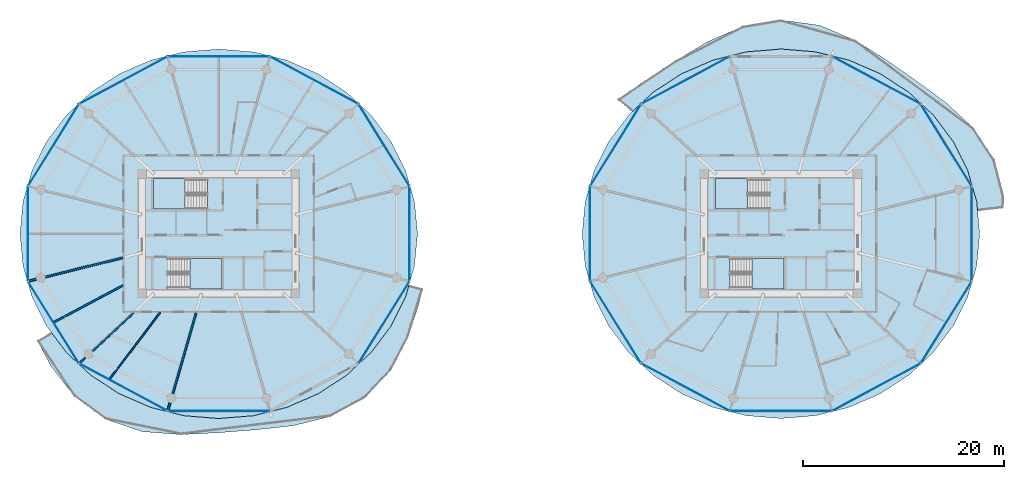
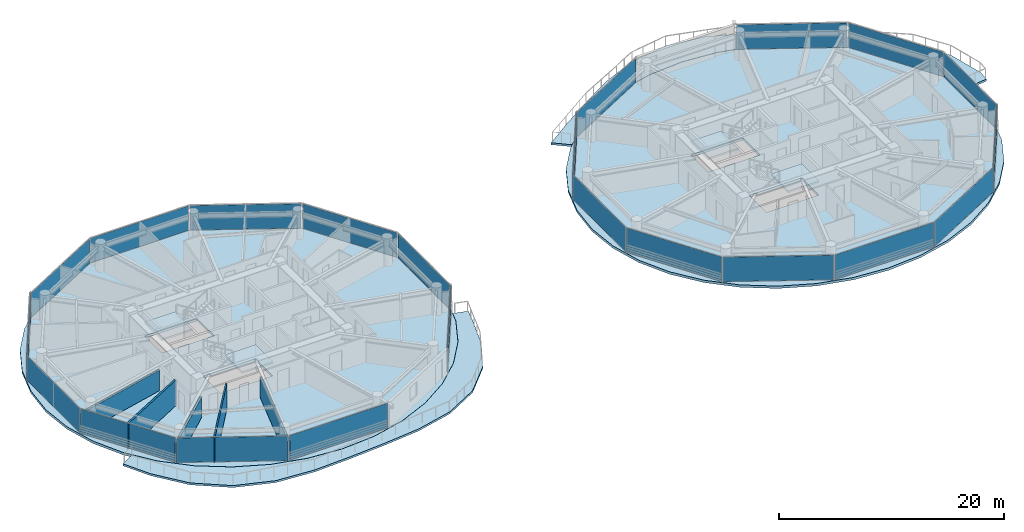
# One storey, part 14 of 26: 22 plates, 8 slabs, 5 walls, 26 elements without a shape of their own.
"""IFC4 building model written with IfcOpenShell, lengths in metres."""

from ifc_helpers import new_model, si_unit, direction, frame, frame_2d, origin, origin_2d, place, context, subcontext, project, spatial, polyline, rectangle, outline, extrude, source, transform, mapped, material, layer, layer_set, type_object, type_shapes, element, aggregate, save


model = new_model("IFC4")

# Units and contexts
model_context = context("Model", 3, precision=1e-05, world=origin(), true_north=direction((0.0, 1.0)))
body_context = subcontext(model_context, "Body", "Model", "MODEL_VIEW")
ifc_project = project(units=[si_unit("LENGTHUNIT", "METRE"), si_unit("AREAUNIT", "SQUARE_METRE"), si_unit("VOLUMEUNIT", "CUBIC_METRE"), si_unit("PLANEANGLEUNIT", "RADIAN"), si_unit("MASSUNIT", "GRAM", prefix="KILO")], contexts=[model_context])

# Site, building, storey
site_placement = place(None, origin())
site = spatial("IfcSite", under=ifc_project, at=site_placement, CompositionType="ELEMENT")
building_placement = place(site_placement, origin())
building = spatial("IfcBuilding", under=site, at=building_placement, Name="Norrkilde Senior Care Towers", CompositionType="ELEMENT")
storey_placement = place(building_placement, frame((0.0, 0.0, 55.14990234375)))
storey = spatial("IfcBuildingStorey", under=building, at=storey_placement, Name="L16", CompositionType="ELEMENT", Elevation=55.14990234375)

# Slabs
ifc_material_1 = material(Name="Concrete C50/60", Category="concrete")
ifc_layer_1 = layer(ifc_material_1, 0.215087890625)
ifc_layer_set_1 = layer_set([ifc_layer_1], Name="Concrete C50/60")
slab_type_1 = type_object("IfcSlabType", Name="Sinusoidal Balcony Ribbon Slab 215", PredefinedType="FLOOR", material=ifc_layer_set_1)
slab_1_placement = place(storey_placement, frame((0.0, 0.0, -0.21484375)))
element("IfcSlab", 1, at=slab_1_placement, inside=storey, type_object=slab_type_1, Name="L16 Drum W Swirling Senior Balcony 1", PredefinedType="FLOOR", context=body_context, shape_type="SweptSolid", body=[
    extrude(outline(polyline([(-9.116455078125, -10.278564453125), (-10.85546875, -13.6123046875), (-13.49072265625, -16.380615234375), (-16.8798828125, -18.208740234375), (-20.607177734375, -19.125732421875), (-24.330810546875, -19.530029296875), (-28.0, -19.81689453125), (-31.747314453125, -20.006591796875), (-35.591796875, -19.7138671875), (-39.26904296875, -18.486572265625), (-42.376708984375, -16.210693359375), (-44.704833984375, -13.215087890625), (-46.0576171875, -10.67138671875), (-44.6650390625, -9.848388671875), (-43.171630859375, -11.83056640625), (-40.73046875, -14.09912109375), (-37.902587890625, -15.939208984375), (-34.773681640625, -17.294921875), (-31.439208984375, -18.12548828125), (-28.0, -18.405029296875), (-24.560791015625, -18.12548828125), (-21.226318359375, -17.294921875), (-18.097412109375, -15.939208984375), (-15.26953125, -14.09912109375), (-12.828369140625, -11.83056640625), (-10.848388671875, -9.202392578125), (-9.389404296875, -6.294921875), (-9.0556640625, -5.137451171875), (-7.674072265625, -5.511962890625), (-8.013671875, -6.833740234375), (-9.116455078125, -10.278564453125)])), origin(), (0.0, 0.0, 1.0), 0.21484375),
])
slab_2_placement = place(storey_placement, frame((0.0, 0.0, -0.21484375)))
element("IfcSlab", 2, at=slab_2_placement, inside=storey, type_object=slab_type_1, Name="L16 Drum E Swirling Senior Balcony 1", PredefinedType="FLOOR", context=body_context, shape_type="SweptSolid", body=[
    extrude(outline(polyline([(17.43017578125, 17.18359375), (20.615478515625, 19.10107421875), (24.14794921875, 20.645263671875), (28.0, 21.295654296875), (31.8720703125, 20.767578125), (35.435546875, 19.252197265625), (38.608154296875, 17.2548828125), (41.571533203125, 15.177978515625), (44.49267578125, 13.023681640625), (47.219970703125, 10.48779296875), (49.2783203125, 7.33984375), (50.21826171875, 3.7109375), (50.153076171875, 2.572509765625), (47.5908203125, 2.27490234375), (47.504150390625, 3.196044921875), (46.610595703125, 6.294921875), (45.151611328125, 9.202392578125), (43.171630859375, 11.83056640625), (40.73046875, 14.09912109375), (37.902587890625, 15.939208984375), (34.773681640625, 17.294921875), (31.439208984375, 18.12548828125), (28.0, 18.405029296875), (24.560791015625, 18.12548828125), (21.226318359375, 17.294921875), (18.097412109375, 15.939208984375), (15.26953125, 14.09912109375), (13.195068359375, 12.17138671875), (11.740234375, 13.367431640625), (14.39453125, 15.2216796875), (17.43017578125, 17.18359375)])), origin(), (0.0, 0.0, 1.0), 0.21484375),
])

# Stair, slab
ifc_material_2 = material(Name="Concrete C45/55", Category="concrete")
stair_type = type_object("IfcStairType", Name="Core Protected Dogleg Stair Typical 3050", PredefinedType="HALF_TURN_STAIR", material=ifc_material_2)
stair_1_placement = place(storey_placement, origin())
stair_1 = element("IfcStair", 3, at=stair_1_placement, inside=storey, type_object=stair_type, Name="L16 Protected Core Stair W1", PredefinedType="HALF_TURN_STAIR")
ifc_layer_2 = layer(ifc_material_2, 0.199951171875)
ifc_layer_set_2 = layer_set([ifc_layer_2], Name="Concrete C45/55")
slab_type_2 = type_object("IfcSlabType", Name="Stair Landing Slab 200", PredefinedType="LANDING", material=ifc_layer_set_2)
slab_3_placement = place(storey_placement, frame((0.0, 0.0, 1.3251953125)))
slab_3 = element("IfcSlab", 4, at=slab_3_placement, type_object=slab_type_2, Name="ST-W1 landing 1", PredefinedType="LANDING", context=body_context, shape_type="SweptSolid", body=[
    extrude(outline(polyline([(-31.340087890625, 5.52490234375), (-34.5, 5.52490234375), (-34.5, 2.449951171875), (-31.340087890625, 2.449951171875), (-31.340087890625, 5.52490234375)])), origin(), (0.0, 0.0, 1.0), 0.199951171875),
])
aggregate(stair_1, [slab_3])

stair_2_placement = place(storey_placement, origin())
stair_2 = element("IfcStair", 5, at=stair_2_placement, inside=storey, type_object=stair_type, Name="L16 Protected Core Stair W2", PredefinedType="HALF_TURN_STAIR")
slab_4_placement = place(storey_placement, frame((0.0, 0.0, 1.3251953125)))
slab_4 = element("IfcSlab", 6, at=slab_4_placement, type_object=slab_type_2, Name="ST-W2 landing 1", PredefinedType="LANDING", context=body_context, shape_type="SweptSolid", body=[
    extrude(outline(polyline([(-30.860107421875, -5.52490234375), (-27.699951171875, -5.52490234375), (-27.699951171875, -2.449951171875), (-30.860107421875, -2.449951171875), (-30.860107421875, -5.52490234375)])), origin(), (0.0, 0.0, 1.0), 0.199951171875),
])
aggregate(stair_2, [slab_4])

stair_3_placement = place(storey_placement, origin())
stair_3 = element("IfcStair", 7, at=stair_3_placement, inside=storey, type_object=stair_type, Name="L16 Protected Core Stair E1", PredefinedType="HALF_TURN_STAIR")
slab_5_placement = place(storey_placement, frame((0.0, 0.0, 1.3251953125)))
slab_5 = element("IfcSlab", 8, at=slab_5_placement, type_object=slab_type_2, Name="ST-E1 landing 1", PredefinedType="LANDING", context=body_context, shape_type="SweptSolid", body=[
    extrude(outline(polyline([(24.659912109375, 5.52490234375), (21.5, 5.52490234375), (21.5, 2.449951171875), (24.659912109375, 2.449951171875), (24.659912109375, 5.52490234375)])), origin(), (0.0, 0.0, 1.0), 0.199951171875),
])
aggregate(stair_3, [slab_5])

stair_4_placement = place(storey_placement, origin())
stair_4 = element("IfcStair", 9, at=stair_4_placement, inside=storey, type_object=stair_type, Name="L16 Protected Core Stair E2", PredefinedType="HALF_TURN_STAIR")
slab_6_placement = place(storey_placement, frame((0.0, 0.0, 1.3251953125)))
slab_6 = element("IfcSlab", 10, at=slab_6_placement, type_object=slab_type_2, Name="ST-E2 landing 1", PredefinedType="LANDING", context=body_context, shape_type="SweptSolid", body=[
    extrude(outline(polyline([(25.139892578125, -5.52490234375), (28.300048828125, -5.52490234375), (28.300048828125, -2.449951171875), (25.139892578125, -2.449951171875), (25.139892578125, -5.52490234375)])), origin(), (0.0, 0.0, 1.0), 0.199951171875),
])
aggregate(stair_4, [slab_6])

# Slabs
ifc_layer_3 = layer(ifc_material_1, 0.260009765625)
ifc_layer_set_3 = layer_set([ifc_layer_3], Name="Concrete C50/60")
slab_type_3 = type_object("IfcSlabType", Name="Tower Care Floor Slab 260", PredefinedType="FLOOR", material=ifc_layer_set_3)
slab_7_placement = place(storey_placement, frame((0.0, 0.0, -0.260009765625)))
element("IfcSlab", 11, at=slab_7_placement, inside=storey, type_object=slab_type_3, Name="L16 Drum W Structural Floor Slab", PredefinedType="FLOOR", context=body_context, shape_type="SweptSolid", body=[
    extrude(outline(polyline([(-9.39404296875, -6.293212890625), (-10.852783203125, -9.199951171875), (-12.832275390625, -11.827392578125), (-15.272705078125, -14.09521484375), (-18.10009765625, -15.934814453125), (-21.22802734375, -17.290283203125), (-24.561767578125, -18.120361328125), (-28.0, -18.39990234375), (-31.438232421875, -18.120361328125), (-34.77197265625, -17.290283203125), (-37.89990234375, -15.934814453125), (-40.727294921875, -14.09521484375), (-43.167724609375, -11.827392578125), (-45.147216796875, -9.199951171875), (-46.60595703125, -6.293212890625), (-47.499267578125, -3.195068359375), (-47.800048828125, 0.0), (-47.499267578125, 3.195068359375), (-46.60595703125, 6.293212890625), (-45.147216796875, 9.199951171875), (-43.167724609375, 11.827392578125), (-40.727294921875, 14.09521484375), (-37.89990234375, 15.934814453125), (-34.77197265625, 17.290283203125), (-31.438232421875, 18.120361328125), (-28.0, 18.39990234375), (-24.561767578125, 18.120361328125), (-21.22802734375, 17.290283203125), (-18.10009765625, 15.934814453125), (-15.272705078125, 14.09521484375), (-12.832275390625, 11.827392578125), (-10.852783203125, 9.199951171875), (-9.39404296875, 6.293212890625), (-8.500732421875, 3.195068359375), (-8.199951171875, 0.0), (-8.500732421875, -3.195068359375), (-9.39404296875, -6.293212890625)]), holes=[polyline([(-34.48193359375, 2.468017578125), (-29.117919921875, 2.468017578125), (-29.117919921875, 5.52490234375), (-34.48193359375, 5.52490234375), (-34.48193359375, 2.468017578125)]), polyline([(-27.718017578125, -5.52490234375), (-27.718017578125, -2.468017578125), (-33.08203125, -2.468017578125), (-33.08203125, -5.52490234375), (-27.718017578125, -5.52490234375)])]), origin(), (0.0, 0.0, 1.0), 0.260009765625),
])
slab_8_placement = place(storey_placement, frame((0.0, 0.0, -0.260009765625)))
element("IfcSlab", 12, at=slab_8_placement, inside=storey, type_object=slab_type_3, Name="L16 Drum E Structural Floor Slab", PredefinedType="FLOOR", context=body_context, shape_type="SweptSolid", body=[
    extrude(outline(polyline([(46.60595703125, -6.293212890625), (45.147216796875, -9.199951171875), (43.167724609375, -11.827392578125), (40.727294921875, -14.09521484375), (37.89990234375, -15.934814453125), (34.77197265625, -17.290283203125), (31.438232421875, -18.120361328125), (28.0, -18.39990234375), (24.561767578125, -18.120361328125), (21.22802734375, -17.290283203125), (18.10009765625, -15.934814453125), (15.272705078125, -14.09521484375), (12.832275390625, -11.827392578125), (10.852783203125, -9.199951171875), (9.39404296875, -6.293212890625), (8.500732421875, -3.195068359375), (8.199951171875, 0.0), (8.500732421875, 3.195068359375), (9.39404296875, 6.293212890625), (10.852783203125, 9.199951171875), (12.832275390625, 11.827392578125), (15.272705078125, 14.09521484375), (18.10009765625, 15.934814453125), (21.22802734375, 17.290283203125), (24.561767578125, 18.120361328125), (28.0, 18.39990234375), (31.438232421875, 18.120361328125), (34.77197265625, 17.290283203125), (37.89990234375, 15.934814453125), (40.727294921875, 14.09521484375), (43.167724609375, 11.827392578125), (45.147216796875, 9.199951171875), (46.60595703125, 6.293212890625), (47.499267578125, 3.195068359375), (47.800048828125, 0.0), (47.499267578125, -3.195068359375), (46.60595703125, -6.293212890625)]), holes=[polyline([(21.51806640625, 2.468017578125), (26.882080078125, 2.468017578125), (26.882080078125, 5.52490234375), (21.51806640625, 5.52490234375), (21.51806640625, 2.468017578125)]), polyline([(28.281982421875, -5.52490234375), (28.281982421875, -2.468017578125), (22.91796875, -2.468017578125), (22.91796875, -5.52490234375), (28.281982421875, -5.52490234375)])]), origin(), (0.0, 0.0, 1.0), 0.260009765625),
])

# Curtain wall, plate
ifc_material_3 = material(Name="Triple Low-E Insulated Glazing", Category="glass")
ifc_layer_4 = layer(ifc_material_3, 0.199951171875)
ifc_layer_set_4 = layer_set([ifc_layer_4], Name="Triple Low-E Insulated Glazing")
curtain_wall_type = type_object("IfcCurtainWallType", Name="CW2 Zone 1 Memory Care Curtain Wall", PredefinedType="NOTDEFINED", material=ifc_layer_set_4)
curtain_wall_1_placement = place(storey_placement, origin())
curtain_wall_1 = element("IfcCurtainWall", 13, at=curtain_wall_1_placement, inside=storey, type_object=curtain_wall_type, Name="L16 Drum W Curtain Wall 00", PredefinedType="NOTDEFINED")
ifc_layer_5 = layer(ifc_material_3, 0.035888671875)
ifc_layer_set_5 = layer_set([ifc_layer_5], Name="Triple Low-E Insulated Glazing")
plate_type = type_object("IfcPlateType", Name="Triple Low-E Vision Curtain Panel 36", PredefinedType="CURTAIN_PANEL", material=ifc_layer_set_5)
shared_shape_1 = source(origin(), body_context, "Body", "SweptSolid", [
    extrude(rectangle(XDim=9.518798828125, YDim=0.035888671875, at=origin_2d()), origin(), (0.0, 0.0, 1.0), 2.669921875),
])
plate_1_placement = place(storey_placement, frame((-11.537353515625, 8.82861328125, 0.06005859375), z_axis=(0.0, 0.0, 1.0), x_axis=(0.527900951871, -0.849305943117, 0.0)))
plate_1 = element("IfcPlate", 14, at=plate_1_placement, type_object=plate_type, Name="CW-2 panel 1.1", PredefinedType="CURTAIN_PANEL", context=body_context, shape_type="MappedRepresentation", body=[
    mapped(shared_shape_1, transform((0.0, 0.0, 0.0), x_axis=(1.0, 0.0, 0.0), y_axis=(0.0, 1.0, 0.0), z_axis=(0.0, 0.0, 1.0), scale=1.0)),
])
aggregate(curtain_wall_1, [plate_1])

curtain_wall_2_placement = place(storey_placement, origin())
curtain_wall_2 = element("IfcCurtainWall", 15, at=curtain_wall_2_placement, inside=storey, type_object=curtain_wall_type, Name="L16 Drum W Curtain Wall 04", PredefinedType="NOTDEFINED")
plate_2_placement = place(storey_placement, frame((-44.462646484375, 8.82861328125, 0.06005859375), z_axis=(0.0, 0.0, 1.0), x_axis=(0.527900951871, 0.849305943117, 0.0)))
plate_2 = element("IfcPlate", 16, at=plate_2_placement, type_object=plate_type, Name="CW-2 panel 1.1", PredefinedType="CURTAIN_PANEL", context=body_context, shape_type="MappedRepresentation", body=[
    mapped(shared_shape_1, transform((0.0, 0.0, 0.0), x_axis=(1.0, 0.0, 0.0), y_axis=(0.0, 1.0, 0.0), z_axis=(0.0, 0.0, 1.0), scale=1.0)),
])
aggregate(curtain_wall_2, [plate_2])

curtain_wall_3_placement = place(storey_placement, origin())
curtain_wall_3 = element("IfcCurtainWall", 17, at=curtain_wall_3_placement, inside=storey, type_object=curtain_wall_type, Name="L16 Drum W Curtain Wall 06", PredefinedType="NOTDEFINED")
plate_3_placement = place(storey_placement, frame((-44.462646484375, -8.82861328125, 0.06005859375), z_axis=(0.0, 0.0, 1.0), x_axis=(-0.527900951871, 0.849305943117, 0.0)))
plate_3 = element("IfcPlate", 18, at=plate_3_placement, type_object=plate_type, Name="CW-2 panel 1.1", PredefinedType="CURTAIN_PANEL", context=body_context, shape_type="MappedRepresentation", body=[
    mapped(shared_shape_1, transform((0.0, 0.0, 0.0), x_axis=(1.0, 0.0, 0.0), y_axis=(0.0, 1.0, 0.0), z_axis=(0.0, 0.0, 1.0), scale=1.0)),
])
aggregate(curtain_wall_3, [plate_3])

curtain_wall_4_placement = place(storey_placement, origin())
curtain_wall_4 = element("IfcCurtainWall", 19, at=curtain_wall_4_placement, inside=storey, type_object=curtain_wall_type, Name="L16 Drum W Curtain Wall 10", PredefinedType="NOTDEFINED")
plate_4_placement = place(storey_placement, frame((-11.537353515625, -8.82861328125, 0.06005859375), z_axis=(0.0, 0.0, 1.0), x_axis=(-0.527900951871, -0.849305943117, 0.0)))
plate_4 = element("IfcPlate", 20, at=plate_4_placement, type_object=plate_type, Name="CW-2 panel 1.1", PredefinedType="CURTAIN_PANEL", context=body_context, shape_type="MappedRepresentation", body=[
    mapped(shared_shape_1, transform((0.0, 0.0, 0.0), x_axis=(1.0, 0.0, 0.0), y_axis=(0.0, 1.0, 0.0), z_axis=(0.0, 0.0, 1.0), scale=1.0)),
])
aggregate(curtain_wall_4, [plate_4])

curtain_wall_5_placement = place(storey_placement, origin())
curtain_wall_5 = element("IfcCurtainWall", 21, at=curtain_wall_5_placement, inside=storey, type_object=curtain_wall_type, Name="L16 Drum E Curtain Wall 00", PredefinedType="NOTDEFINED")
plate_5_placement = place(storey_placement, frame((44.462646484375, 8.82861328125, 0.06005859375), z_axis=(0.0, 0.0, 1.0), x_axis=(0.527900951871, -0.849305943117, 0.0)))
plate_5 = element("IfcPlate", 22, at=plate_5_placement, type_object=plate_type, Name="CW-2 panel 1.1", PredefinedType="CURTAIN_PANEL", context=body_context, shape_type="MappedRepresentation", body=[
    mapped(shared_shape_1, transform((0.0, 0.0, 0.0), x_axis=(1.0, 0.0, 0.0), y_axis=(0.0, 1.0, 0.0), z_axis=(0.0, 0.0, 1.0), scale=1.0)),
])
aggregate(curtain_wall_5, [plate_5])

curtain_wall_6_placement = place(storey_placement, origin())
curtain_wall_6 = element("IfcCurtainWall", 23, at=curtain_wall_6_placement, inside=storey, type_object=curtain_wall_type, Name="L16 Drum E Curtain Wall 04", PredefinedType="NOTDEFINED")
plate_6_placement = place(storey_placement, frame((11.537353515625, 8.82861328125, 0.06005859375), z_axis=(0.0, 0.0, 1.0), x_axis=(0.527900951871, 0.849305943117, 0.0)))
plate_6 = element("IfcPlate", 24, at=plate_6_placement, type_object=plate_type, Name="CW-2 panel 1.1", PredefinedType="CURTAIN_PANEL", context=body_context, shape_type="MappedRepresentation", body=[
    mapped(shared_shape_1, transform((0.0, 0.0, 0.0), x_axis=(1.0, 0.0, 0.0), y_axis=(0.0, 1.0, 0.0), z_axis=(0.0, 0.0, 1.0), scale=1.0)),
])
aggregate(curtain_wall_6, [plate_6])

curtain_wall_7_placement = place(storey_placement, origin())
curtain_wall_7 = element("IfcCurtainWall", 25, at=curtain_wall_7_placement, inside=storey, type_object=curtain_wall_type, Name="L16 Drum E Curtain Wall 06", PredefinedType="NOTDEFINED")
plate_7_placement = place(storey_placement, frame((11.537353515625, -8.82861328125, 0.06005859375), z_axis=(0.0, 0.0, 1.0), x_axis=(-0.527900951871, 0.849305943117, 0.0)))
plate_7 = element("IfcPlate", 26, at=plate_7_placement, type_object=plate_type, Name="CW-2 panel 1.1", PredefinedType="CURTAIN_PANEL", context=body_context, shape_type="MappedRepresentation", body=[
    mapped(shared_shape_1, transform((0.0, 0.0, 0.0), x_axis=(1.0, 0.0, 0.0), y_axis=(0.0, 1.0, 0.0), z_axis=(0.0, 0.0, 1.0), scale=1.0)),
])
aggregate(curtain_wall_7, [plate_7])

curtain_wall_8_placement = place(storey_placement, origin())
curtain_wall_8 = element("IfcCurtainWall", 27, at=curtain_wall_8_placement, inside=storey, type_object=curtain_wall_type, Name="L16 Drum E Curtain Wall 10", PredefinedType="NOTDEFINED")
plate_8_placement = place(storey_placement, frame((44.462646484375, -8.82861328125, 0.06005859375), z_axis=(0.0, 0.0, 1.0), x_axis=(-0.527900951871, -0.849305943117, 0.0)))
plate_8 = element("IfcPlate", 28, at=plate_8_placement, type_object=plate_type, Name="CW-2 panel 1.1", PredefinedType="CURTAIN_PANEL", context=body_context, shape_type="MappedRepresentation", body=[
    mapped(shared_shape_1, transform((0.0, 0.0, 0.0), x_axis=(1.0, 0.0, 0.0), y_axis=(0.0, 1.0, 0.0), z_axis=(0.0, 0.0, 1.0), scale=1.0)),
])
aggregate(curtain_wall_8, [plate_8])

curtain_wall_9_placement = place(storey_placement, origin())
curtain_wall_9 = element("IfcCurtainWall", 29, at=curtain_wall_9_placement, inside=storey, type_object=curtain_wall_type, Name="L16 Drum W Curtain Wall 01", PredefinedType="NOTDEFINED")
shared_shape_2 = source(origin(), body_context, "Body", "SweptSolid", [
    extrude(rectangle(XDim=9.880859375, YDim=0.035888671875, at=origin_2d()), origin(), (0.0, 0.0, 1.0), 2.669921875),
])
plate_9_placement = place(storey_placement, frame((-18.495361328125, 15.29150390625, 0.06005859375), z_axis=(0.0, 0.0, 1.0), x_axis=(0.881272866403, -0.472607802456, 0.0)))
plate_9 = element("IfcPlate", 30, at=plate_9_placement, type_object=plate_type, Name="CW-2 panel 1.1", PredefinedType="CURTAIN_PANEL", context=body_context, shape_type="MappedRepresentation", body=[
    mapped(shared_shape_2, transform((0.0, 0.0, 0.0), x_axis=(1.0, 0.0, 0.0), y_axis=(0.0, 1.0, 0.0), z_axis=(0.0, 0.0, 1.0), scale=1.0)),
])
aggregate(curtain_wall_9, [plate_9])

curtain_wall_10_placement = place(storey_placement, origin())
curtain_wall_10 = element("IfcCurtainWall", 31, at=curtain_wall_10_placement, inside=storey, type_object=curtain_wall_type, Name="L16 Drum W Curtain Wall 03", PredefinedType="NOTDEFINED")
plate_10_placement = place(storey_placement, frame((-37.504638671875, 15.29150390625, 0.06005859375), z_axis=(0.0, 0.0, 1.0), x_axis=(0.881272866403, 0.472607802456, 0.0)))
plate_10 = element("IfcPlate", 32, at=plate_10_placement, type_object=plate_type, Name="CW-2 panel 1.1", PredefinedType="CURTAIN_PANEL", context=body_context, shape_type="MappedRepresentation", body=[
    mapped(shared_shape_2, transform((0.0, 0.0, 0.0), x_axis=(1.0, 0.0, 0.0), y_axis=(0.0, 1.0, 0.0), z_axis=(0.0, 0.0, 1.0), scale=1.0)),
])
aggregate(curtain_wall_10, [plate_10])

curtain_wall_11_placement = place(storey_placement, origin())
curtain_wall_11 = element("IfcCurtainWall", 33, at=curtain_wall_11_placement, inside=storey, type_object=curtain_wall_type, Name="L16 Drum W Curtain Wall 07", PredefinedType="NOTDEFINED")
plate_11_placement = place(storey_placement, frame((-37.504638671875, -15.29150390625, 0.06005859375), z_axis=(0.0, 0.0, 1.0), x_axis=(-0.881272866403, 0.472607802456, 0.0)))
plate_11 = element("IfcPlate", 34, at=plate_11_placement, type_object=plate_type, Name="CW-2 panel 1.1", PredefinedType="CURTAIN_PANEL", context=body_context, shape_type="MappedRepresentation", body=[
    mapped(shared_shape_2, transform((0.0, 0.0, 0.0), x_axis=(1.0, 0.0, 0.0), y_axis=(0.0, 1.0, 0.0), z_axis=(0.0, 0.0, 1.0), scale=1.0)),
])
aggregate(curtain_wall_11, [plate_11])

curtain_wall_12_placement = place(storey_placement, origin())
curtain_wall_12 = element("IfcCurtainWall", 35, at=curtain_wall_12_placement, inside=storey, type_object=curtain_wall_type, Name="L16 Drum E Curtain Wall 01", PredefinedType="NOTDEFINED")
plate_12_placement = place(storey_placement, frame((37.504638671875, 15.29150390625, 0.06005859375), z_axis=(0.0, 0.0, 1.0), x_axis=(0.881272866403, -0.472607802456, 0.0)))
plate_12 = element("IfcPlate", 36, at=plate_12_placement, type_object=plate_type, Name="CW-2 panel 1.1", PredefinedType="CURTAIN_PANEL", context=body_context, shape_type="MappedRepresentation", body=[
    mapped(shared_shape_2, transform((0.0, 0.0, 0.0), x_axis=(1.0, 0.0, 0.0), y_axis=(0.0, 1.0, 0.0), z_axis=(0.0, 0.0, 1.0), scale=1.0)),
])
aggregate(curtain_wall_12, [plate_12])

curtain_wall_13_placement = place(storey_placement, origin())
curtain_wall_13 = element("IfcCurtainWall", 37, at=curtain_wall_13_placement, inside=storey, type_object=curtain_wall_type, Name="L16 Drum E Curtain Wall 03", PredefinedType="NOTDEFINED")
plate_13_placement = place(storey_placement, frame((18.495361328125, 15.29150390625, 0.06005859375), z_axis=(0.0, 0.0, 1.0), x_axis=(0.881272866403, 0.472607802456, 0.0)))
plate_13 = element("IfcPlate", 38, at=plate_13_placement, type_object=plate_type, Name="CW-2 panel 1.1", PredefinedType="CURTAIN_PANEL", context=body_context, shape_type="MappedRepresentation", body=[
    mapped(shared_shape_2, transform((0.0, 0.0, 0.0), x_axis=(1.0, 0.0, 0.0), y_axis=(0.0, 1.0, 0.0), z_axis=(0.0, 0.0, 1.0), scale=1.0)),
])
aggregate(curtain_wall_13, [plate_13])

curtain_wall_14_placement = place(storey_placement, origin())
curtain_wall_14 = element("IfcCurtainWall", 39, at=curtain_wall_14_placement, inside=storey, type_object=curtain_wall_type, Name="L16 Drum E Curtain Wall 07", PredefinedType="NOTDEFINED")
plate_14_placement = place(storey_placement, frame((18.495361328125, -15.29150390625, 0.06005859375), z_axis=(0.0, 0.0, 1.0), x_axis=(-0.881272866403, 0.472607802456, 0.0)))
plate_14 = element("IfcPlate", 40, at=plate_14_placement, type_object=plate_type, Name="CW-2 panel 1.1", PredefinedType="CURTAIN_PANEL", context=body_context, shape_type="MappedRepresentation", body=[
    mapped(shared_shape_2, transform((0.0, 0.0, 0.0), x_axis=(1.0, 0.0, 0.0), y_axis=(0.0, 1.0, 0.0), z_axis=(0.0, 0.0, 1.0), scale=1.0)),
])
aggregate(curtain_wall_14, [plate_14])

curtain_wall_15_placement = place(storey_placement, origin())
curtain_wall_15 = element("IfcCurtainWall", 41, at=curtain_wall_15_placement, inside=storey, type_object=curtain_wall_type, Name="L16 Drum E Curtain Wall 09", PredefinedType="NOTDEFINED")
plate_15_placement = place(storey_placement, frame((37.504638671875, -15.29150390625, 0.06005859375), z_axis=(0.0, 0.0, 1.0), x_axis=(-0.881272866403, -0.472607802456, 0.0)))
plate_15 = element("IfcPlate", 42, at=plate_15_placement, type_object=plate_type, Name="CW-2 panel 1.1", PredefinedType="CURTAIN_PANEL", context=body_context, shape_type="MappedRepresentation", body=[
    mapped(shared_shape_2, transform((0.0, 0.0, 0.0), x_axis=(1.0, 0.0, 0.0), y_axis=(0.0, 1.0, 0.0), z_axis=(0.0, 0.0, 1.0), scale=1.0)),
])
aggregate(curtain_wall_15, [plate_15])

curtain_wall_16_placement = place(storey_placement, origin())
curtain_wall_16 = element("IfcCurtainWall", 43, at=curtain_wall_16_placement, inside=storey, type_object=curtain_wall_type, Name="L16 Drum W Curtain Wall 05", PredefinedType="NOTDEFINED")
shared_shape_3 = source(origin(), body_context, "Body", "SweptSolid", [
    extrude(rectangle(XDim=9.33251953125, YDim=0.035888671875, at=origin_2d()), origin(), (0.0, 0.0, 1.0), 2.669921875),
])
plate_16_placement = place(storey_placement, frame((-47.009521484375, 0.0, 0.06005859375), z_axis=(0.0, 0.0, 1.0), x_axis=(0.0, 1.0, 0.0)))
plate_16 = element("IfcPlate", 44, at=plate_16_placement, type_object=plate_type, Name="CW-2 panel 1.1", PredefinedType="CURTAIN_PANEL", context=body_context, shape_type="MappedRepresentation", body=[
    mapped(shared_shape_3, transform((0.0, 0.0, 0.0), x_axis=(1.0, 0.0, 0.0), y_axis=(0.0, 1.0, 0.0), z_axis=(0.0, 0.0, 1.0), scale=1.0)),
])
aggregate(curtain_wall_16, [plate_16])

curtain_wall_17_placement = place(storey_placement, origin())
curtain_wall_17 = element("IfcCurtainWall", 45, at=curtain_wall_17_placement, inside=storey, type_object=curtain_wall_type, Name="L16 Drum W Curtain Wall 11", PredefinedType="NOTDEFINED")
plate_17_placement = place(storey_placement, frame((-8.990478515625, 0.0, 0.06005859375), z_axis=(0.0, 0.0, 1.0), x_axis=(0.0, -1.0, 0.0)))
plate_17 = element("IfcPlate", 46, at=plate_17_placement, type_object=plate_type, Name="CW-2 panel 1.1", PredefinedType="CURTAIN_PANEL", context=body_context, shape_type="MappedRepresentation", body=[
    mapped(shared_shape_3, transform((0.0, 0.0, 0.0), x_axis=(1.0, 0.0, 0.0), y_axis=(0.0, 1.0, 0.0), z_axis=(0.0, 0.0, 1.0), scale=1.0)),
])
aggregate(curtain_wall_17, [plate_17])

curtain_wall_18_placement = place(storey_placement, origin())
curtain_wall_18 = element("IfcCurtainWall", 47, at=curtain_wall_18_placement, inside=storey, type_object=curtain_wall_type, Name="L16 Drum E Curtain Wall 05", PredefinedType="NOTDEFINED")
plate_18_placement = place(storey_placement, frame((8.990478515625, 0.0, 0.06005859375), z_axis=(0.0, 0.0, 1.0), x_axis=(0.0, 1.0, 0.0)))
plate_18 = element("IfcPlate", 48, at=plate_18_placement, type_object=plate_type, Name="CW-2 panel 1.1", PredefinedType="CURTAIN_PANEL", context=body_context, shape_type="MappedRepresentation", body=[
    mapped(shared_shape_3, transform((0.0, 0.0, 0.0), x_axis=(1.0, 0.0, 0.0), y_axis=(0.0, 1.0, 0.0), z_axis=(0.0, 0.0, 1.0), scale=1.0)),
])
aggregate(curtain_wall_18, [plate_18])

curtain_wall_19_placement = place(storey_placement, origin())
curtain_wall_19 = element("IfcCurtainWall", 49, at=curtain_wall_19_placement, inside=storey, type_object=curtain_wall_type, Name="L16 Drum E Curtain Wall 11", PredefinedType="NOTDEFINED")
plate_19_placement = place(storey_placement, frame((47.009521484375, 0.0, 0.06005859375), z_axis=(0.0, 0.0, 1.0), x_axis=(0.0, -1.0, 0.0)))
plate_19 = element("IfcPlate", 50, at=plate_19_placement, type_object=plate_type, Name="CW-2 panel 1.1", PredefinedType="CURTAIN_PANEL", context=body_context, shape_type="MappedRepresentation", body=[
    mapped(shared_shape_3, transform((0.0, 0.0, 0.0), x_axis=(1.0, 0.0, 0.0), y_axis=(0.0, 1.0, 0.0), z_axis=(0.0, 0.0, 1.0), scale=1.0)),
])
aggregate(curtain_wall_19, [plate_19])

curtain_wall_20_placement = place(storey_placement, origin())
curtain_wall_20 = element("IfcCurtainWall", 51, at=curtain_wall_20_placement, inside=storey, type_object=curtain_wall_type, Name="L16 Drum W Curtain Wall 02", PredefinedType="NOTDEFINED")
shared_shape_4 = source(origin(), body_context, "Body", "SweptSolid", [
    extrude(rectangle(XDim=10.05712890625, YDim=0.035888671875, at=origin_2d()), origin(), (0.0, 0.0, 1.0), 2.669921875),
])
type_shapes(plate_type, [shared_shape_1, shared_shape_2, shared_shape_3, shared_shape_4])
plate_20_placement = place(storey_placement, frame((-28.0, 17.6572265625, 0.06005859375), z_axis=(0.0, 0.0, 1.0), x_axis=(1.0, 0.0, 0.0)))
plate_20 = element("IfcPlate", 52, at=plate_20_placement, type_object=plate_type, Name="CW-2 panel 1.1", PredefinedType="CURTAIN_PANEL", context=body_context, shape_type="MappedRepresentation", body=[
    mapped(shared_shape_4, transform((0.0, 0.0, 0.0), x_axis=(1.0, 0.0, 0.0), y_axis=(0.0, 1.0, 0.0), z_axis=(0.0, 0.0, 1.0), scale=1.0)),
])
aggregate(curtain_wall_20, [plate_20])

curtain_wall_21_placement = place(storey_placement, origin())
curtain_wall_21 = element("IfcCurtainWall", 53, at=curtain_wall_21_placement, inside=storey, type_object=curtain_wall_type, Name="L16 Drum W Curtain Wall 08", PredefinedType="NOTDEFINED")
plate_21_placement = place(storey_placement, frame((-28.0, -17.6572265625, 0.06005859375), z_axis=(0.0, 0.0, 1.0), x_axis=(-1.0, 0.0, 0.0)))
plate_21 = element("IfcPlate", 54, at=plate_21_placement, type_object=plate_type, Name="CW-2 panel 1.1", PredefinedType="CURTAIN_PANEL", context=body_context, shape_type="MappedRepresentation", body=[
    mapped(shared_shape_4, transform((0.0, 0.0, 0.0), x_axis=(1.0, 0.0, 0.0), y_axis=(0.0, 1.0, 0.0), z_axis=(0.0, 0.0, 1.0), scale=1.0)),
])
aggregate(curtain_wall_21, [plate_21])

curtain_wall_22_placement = place(storey_placement, origin())
curtain_wall_22 = element("IfcCurtainWall", 55, at=curtain_wall_22_placement, inside=storey, type_object=curtain_wall_type, Name="L16 Drum E Curtain Wall 08", PredefinedType="NOTDEFINED")
plate_22_placement = place(storey_placement, frame((28.0, -17.6572265625, 0.06005859375), z_axis=(0.0, 0.0, 1.0), x_axis=(-1.0, 0.0, 0.0)))
plate_22 = element("IfcPlate", 56, at=plate_22_placement, type_object=plate_type, Name="CW-2 panel 1.1", PredefinedType="CURTAIN_PANEL", context=body_context, shape_type="MappedRepresentation", body=[
    mapped(shared_shape_4, transform((0.0, 0.0, 0.0), x_axis=(1.0, 0.0, 0.0), y_axis=(0.0, 1.0, 0.0), z_axis=(0.0, 0.0, 1.0), scale=1.0)),
])
aggregate(curtain_wall_22, [plate_22])

# Walls
ifc_material_4 = material(Name="Gypsum Acoustic Board")
ifc_layer_6 = layer(ifc_material_4, 0.18994140625)
ifc_layer_set_6 = layer_set([ifc_layer_6], Name="Gypsum Acoustic Board")
wall_type_1 = type_object("IfcWallType", Name="Unit Demising Acoustic Wall 190", PredefinedType="PARTITIONING", material=ifc_layer_set_6)
shared_shape_5 = source(origin(), body_context, "Body", "SweptSolid", [
    extrude(rectangle(XDim=7.4345703125, YDim=0.18994140625, at=frame_2d((3.71728515625, 0.0))), origin(), (0.0, 0.0, 1.0), 2.22509765625),
])
wall_1_placement = place(storey_placement, frame((-36.48291015625, -7.8798828125, 0.0), z_axis=(0.0, 0.0, 1.0), x_axis=(-0.732651956848, -0.680603489652, 0.0)))
element("IfcWall", 57, at=wall_1_placement, inside=storey, type_object=wall_type_1, Name="WL-INT-L16-W-DEM-07-0", PredefinedType="PARTITIONING", context=body_context, shape_type="MappedRepresentation", body=[
    mapped(shared_shape_5, transform((0.0, 0.0, 0.0), x_axis=(1.0, 0.0, 0.0), y_axis=(0.0, 1.0, 0.0), z_axis=(0.0, 0.0, 1.0), scale=1.0)),
])
shared_shape_6 = source(origin(), body_context, "Body", "SweptSolid", [
    extrude(rectangle(XDim=10.196044921875, YDim=0.18994140625, at=frame_2d((5.09814453125, 0.0))), origin(), (0.0, 0.0, 1.0), 2.22509765625),
])
wall_2_placement = place(storey_placement, frame((-30.27294921875, -7.8798828125, 0.0), z_axis=(0.0, 0.0, 1.0), x_axis=(-0.277136420347, -0.960830580549, 0.0)))
element("IfcWall", 58, at=wall_2_placement, inside=storey, type_object=wall_type_1, Name="WL-INT-L16-W-DEM-08-0", PredefinedType="PARTITIONING", context=body_context, shape_type="MappedRepresentation", body=[
    mapped(shared_shape_6, transform((0.0, 0.0, 0.0), x_axis=(1.0, 0.0, 0.0), y_axis=(0.0, 1.0, 0.0), z_axis=(0.0, 0.0, 1.0), scale=1.0)),
])
shared_shape_7 = source(origin(), body_context, "Body", "SweptSolid", [
    extrude(rectangle(XDim=9.737060546875, YDim=0.18994140625, at=frame_2d((4.86865234375, 0.0))), origin(), (0.0, 0.0, 1.0), 2.22509765625),
])
wall_3_placement = place(storey_placement, frame((-37.580078125, -2.384521484375, 0.0), z_axis=(0.0, 0.0, 1.0), x_axis=(-0.970392716238, -0.241532557375, 0.0)))
element("IfcWall", 59, at=wall_3_placement, inside=storey, type_object=wall_type_1, Name="WL-INT-L16-W-DEM-06-0", PredefinedType="PARTITIONING", context=body_context, shape_type="MappedRepresentation", body=[
    mapped(shared_shape_7, transform((0.0, 0.0, 0.0), x_axis=(1.0, 0.0, 0.0), y_axis=(0.0, 1.0, 0.0), z_axis=(0.0, 0.0, 1.0), scale=1.0)),
])
shared_shape_8 = source(origin(), body_context, "Body", "SweptSolid", [
    extrude(rectangle(XDim=7.873291015625, YDim=0.18994140625, at=frame_2d((3.9365234375, 0.0))), origin(), (0.0, 0.0, 1.0), 2.775146484375),
])
type_shapes(wall_type_1, [shared_shape_5, shared_shape_6, shared_shape_7, shared_shape_8])
wall_4_placement = place(storey_placement, frame((-37.530029296875, -5.1376953125, 0.0), z_axis=(0.0, 0.0, 1.0), x_axis=(-0.882666052726, -0.470000680175, 0.0)))
element("IfcWall", 60, at=wall_4_placement, inside=storey, type_object=wall_type_1, Name="WL-INT-L16-W-MID-06", PredefinedType="PARTITIONING", context=body_context, shape_type="MappedRepresentation", body=[
    mapped(shared_shape_8, transform((0.0, 0.0, 0.0), x_axis=(1.0, 0.0, 0.0), y_axis=(0.0, 1.0, 0.0), z_axis=(0.0, 0.0, 1.0), scale=1.0)),
])
ifc_layer_7 = layer(ifc_material_4, 0.139892578125)
ifc_layer_set_7 = layer_set([ifc_layer_7], Name="Gypsum Acoustic Board")
wall_type_2 = type_object("IfcWallType", Name="En-suite Wet Room Wall 140", PredefinedType="PARTITIONING", material=ifc_layer_set_7)
shared_shape_9 = source(origin(), body_context, "Body", "SweptSolid", [
    extrude(rectangle(XDim=8.436279296875, YDim=0.139892578125, at=frame_2d((4.21826171875, 0.0))), origin(), (0.0, 0.0, 1.0), 2.775146484375),
])
type_shapes(wall_type_2, [shared_shape_9])
wall_5_placement = place(storey_placement, frame((-33.827880859375, -7.830078125, 0.0), z_axis=(0.0, 0.0, 1.0), x_axis=(-0.604486552388, -0.796615345058, 0.0)))
element("IfcWall", 61, at=wall_5_placement, inside=storey, type_object=wall_type_2, Name="WL-INT-L16-W-MID-07", PredefinedType="PARTITIONING", context=body_context, shape_type="MappedRepresentation", body=[
    mapped(shared_shape_9, transform((0.0, 0.0, 0.0), x_axis=(1.0, 0.0, 0.0), y_axis=(0.0, 1.0, 0.0), z_axis=(0.0, 0.0, 1.0), scale=1.0)),
])

save(model, "model.ifc")
